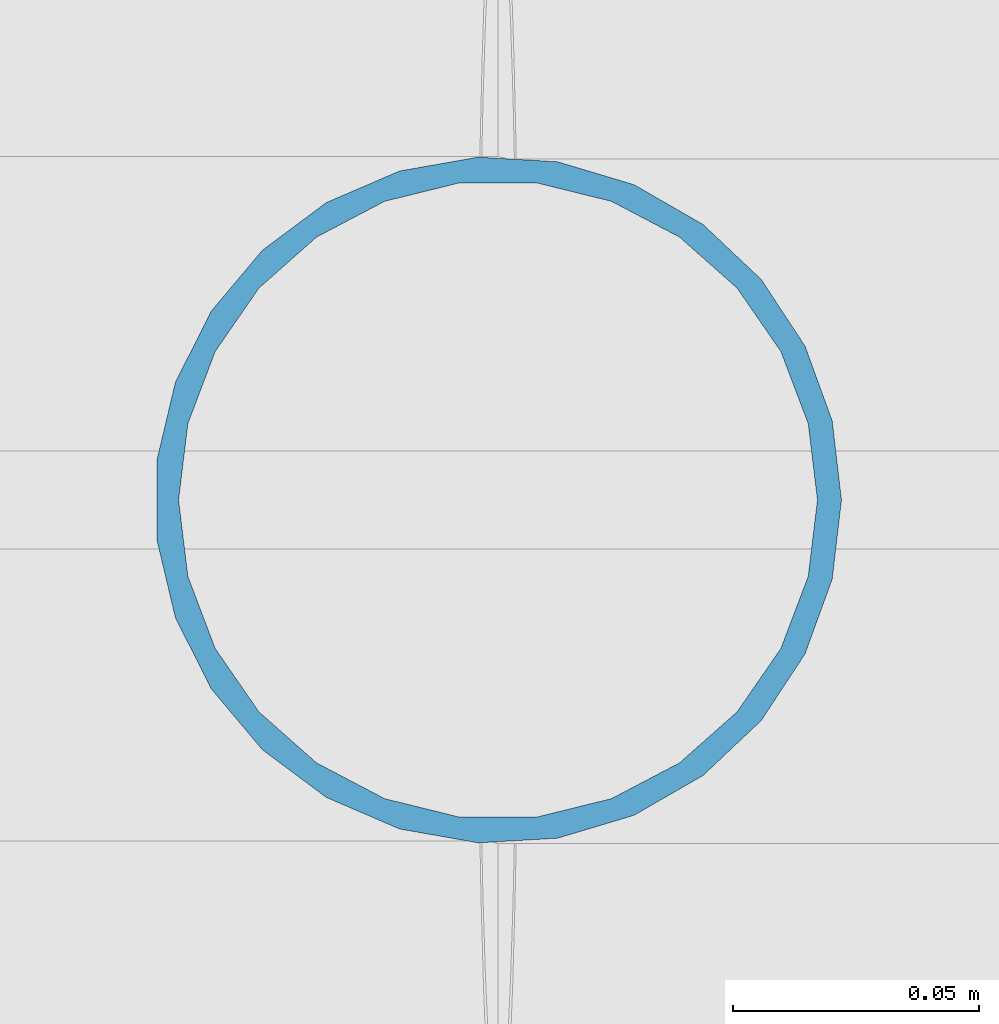
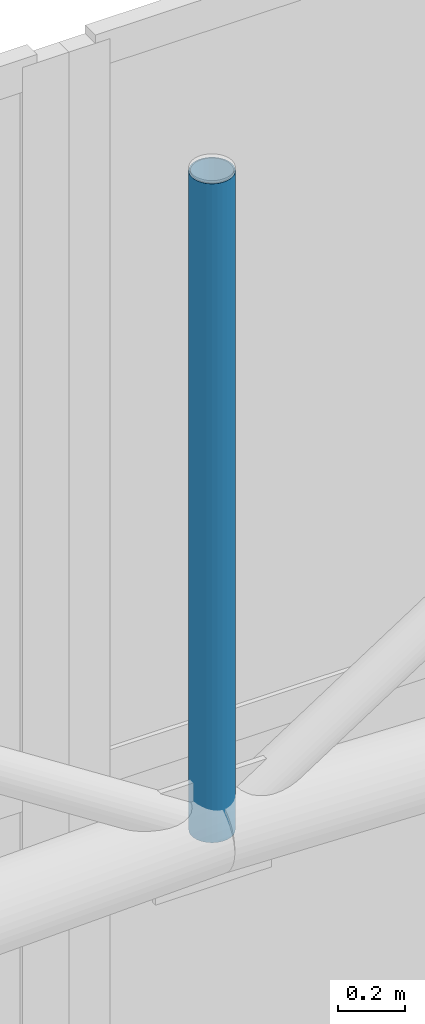
# One storey, part 121 of 321: 1 member.
"""IFC4 building model written with IfcOpenShell, lengths in metres."""

from ifc_helpers import new_model, si_unit, direction, frame, origin, origin_2d, place, context, subcontext, project, spatial, hollow_circle, extrude, material, material_profile, profile_set, type_object, element, save


model = new_model("IFC4")

# Units and contexts
model_context = context("Model", 3, precision=1e-05, world=origin(), true_north=direction((0.0, 1.0)))
body_context = subcontext(model_context, "Body", "Model", "MODEL_VIEW")
ifc_project = project(units=[si_unit("LENGTHUNIT", "METRE"), si_unit("AREAUNIT", "SQUARE_METRE"), si_unit("VOLUMEUNIT", "CUBIC_METRE"), si_unit("PLANEANGLEUNIT", "RADIAN"), si_unit("MASSUNIT", "GRAM", prefix="KILO")], contexts=[model_context])

# Site, building, storey
site_placement = place(None, origin())
site = spatial("IfcSite", under=ifc_project, at=site_placement, CompositionType="ELEMENT")
building_placement = place(site_placement, origin())
building = spatial("IfcBuilding", under=site, at=building_placement, Name="Ravi Spectrum Wholesale Market", CompositionType="ELEMENT")
storey_placement = place(building_placement, frame((0.0, 0.0, 10.800048828125)))
storey = spatial("IfcBuildingStorey", under=building, at=storey_placement, Name="L02", CompositionType="ELEMENT", Elevation=10.800048828125)

# Member
ifc_material = material(Name="Steel S355", Category="steel")
ifc_material_profile = material_profile(ifc_material, hollow_circle(Radius=0.06982421875, WallThickness=0.0048828125, at=origin_2d()))
ifc_profile_set = profile_set([ifc_material_profile], Name="Steel S355")
member_type = type_object("IfcMemberType", Name="CHS 139.7x5 post", PredefinedType="POST", material=ifc_profile_set)
member_placement = place(storey_placement, frame((174.0, 78.0, 5.39990234375), z_axis=(0.0, 0.0, -1.0), x_axis=(1.0, 0.0, 0.0)))
element("IfcMember", 1, at=member_placement, inside=storey, type_object=member_type, Name="H2-MB-L02-035", PredefinedType="POST", context=body_context, shape_type="SweptSolid", body=[
    extrude(hollow_circle(Radius=0.06982421875, WallThickness=0.0048828125, at=origin_2d()), origin(), (0.0, 0.0, 1.0), 2.39990234375),
])

save(model, "model.ifc")
